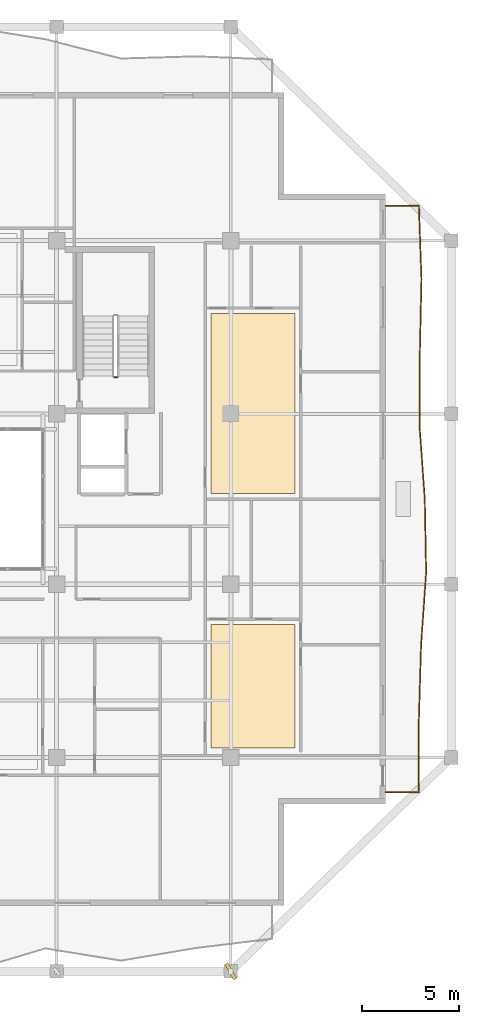
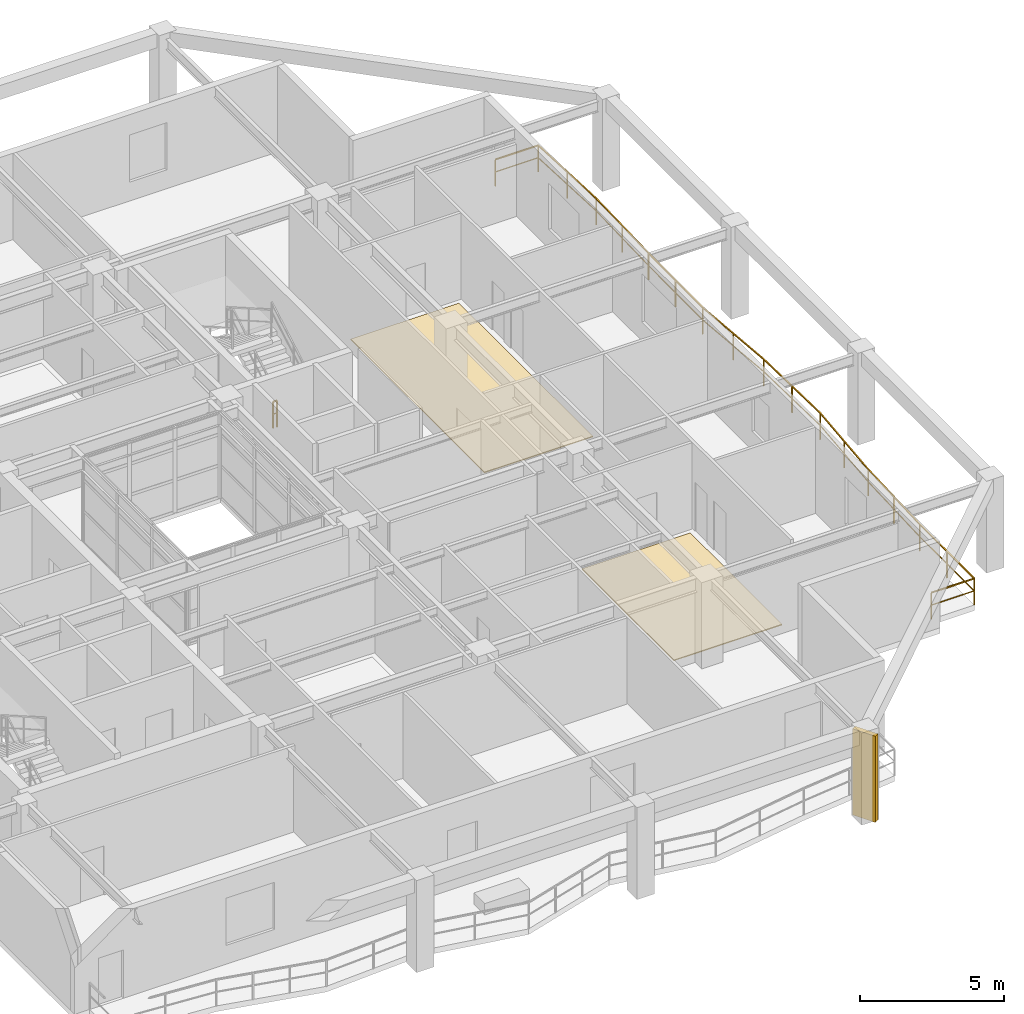
# One storey, part 13 of 15: 2 coverings, 2 railings, 1 shading device.
"""IFC4 building model written with IfcOpenShell, lengths in metres."""

from ifc_helpers import new_model, si_unit, direction, frame, origin, origin_2d, place, context, subcontext, project, spatial, polyline, rectangle, outline, extrude, material, layer, layer_set, type_object, element, save


model = new_model("IFC4")

# Units and contexts
model_context = context("Model", 3, precision=1e-05, world=origin(), true_north=direction((0.0, 1.0)))
body_context = subcontext(model_context, "Body", "Model", "MODEL_VIEW")
ifc_project = project(units=[si_unit("LENGTHUNIT", "METRE"), si_unit("AREAUNIT", "SQUARE_METRE"), si_unit("VOLUMEUNIT", "CUBIC_METRE"), si_unit("PLANEANGLEUNIT", "RADIAN"), si_unit("MASSUNIT", "GRAM", prefix="KILO")], contexts=[model_context])

# Site, building, storey
site_placement = place(None, origin())
site = spatial("IfcSite", under=ifc_project, at=site_placement, CompositionType="ELEMENT")
building_placement = place(site_placement, origin())
building = spatial("IfcBuilding", under=site, at=building_placement, Name="Kundavana Baori Tower", CompositionType="ELEMENT")
storey_placement = place(building_placement, frame((0.0, 0.0, 214.10009765625)))
storey = spatial("IfcBuildingStorey", under=building, at=storey_placement, Name="L52", CompositionType="ELEMENT", Elevation=214.10009765625)

# Coverings
ifc_material_1 = material(Name="Honed Kota Stone and Terrazzo Flooring", Category="masonry")
ifc_layer = layer(ifc_material_1, 0.0400390625, Name="COV-FLR-TERR-40")
ifc_layer_set = layer_set([ifc_layer], Name="Honed Kota Stone and Terrazzo Flooring")
covering_type = type_object("IfcCoveringType", Name="COV-FLR-TERR-40", PredefinedType="FLOORING", material=ifc_layer_set)
covering_1_placement = place(storey_placement, origin())
element("IfcCovering", 1, at=covering_1_placement, inside=storey, type_object=covering_type, Name="L52 Room Finished Stone Flooring 5", PredefinedType="FLOORING", context=body_context, shape_type="SweptSolid", body=[
    extrude(outline(polyline([(41.780029296875, 15.72998046875), (46.1298828125, 15.72998046875), (46.1298828125, 22.1201171875), (41.780029296875, 22.1201171875), (41.780029296875, 15.72998046875)])), origin(), (0.0, 0.0, 1.0), 0.039794921875),
])
covering_2_placement = place(storey_placement, origin())
element("IfcCovering", 2, at=covering_2_placement, inside=storey, type_object=covering_type, Name="L52 Room Finished Stone Flooring 6", PredefinedType="FLOORING", context=body_context, shape_type="SweptSolid", body=[
    extrude(outline(polyline([(41.780029296875, 28.8798828125), (46.1298828125, 28.8798828125), (46.1298828125, 38.18994140625), (41.780029296875, 38.18994140625), (41.780029296875, 28.8798828125)])), origin(), (0.0, 0.0, 1.0), 0.039794921875),
])

# Railings
ifc_material_2 = material(Name="Architectural Patinated Bronze Metalwork")
railing_type_1 = type_object("IfcRailingType", Name="RL-BAL-1150", PredefinedType="BALUSTRADE", material=ifc_material_2)
railing_1_placement = place(storey_placement, frame((50.800048828125, 43.75, 0.0)))
element("IfcRailing", 3, at=railing_1_placement, inside=storey, type_object=railing_type_1, Name="L52 Loggia Balcony Balustrade E", PredefinedType="BALUSTRADE", context=body_context, shape_type="SweptSolid", body=[
    extrude(rectangle(XDim=0.048095703125, YDim=0.048095703125, at=origin_2d()), frame((0.0, 0.0, 1.1259765625), z_axis=(1.0, 0.0, 0.0), x_axis=(0.0, 1.0, 0.0)), (0.0, 0.0, 1.0), 1.719970703125),
    extrude(rectangle(XDim=0.03125, YDim=0.03125, at=origin_2d()), frame((0.0, 0.0, 0.597900390625), z_axis=(1.0, 0.0, 0.0), x_axis=(0.0, 1.0, 0.0)), (0.0, 0.0, 1.0), 1.719970703125),
    extrude(rectangle(XDim=0.048095703125, YDim=0.048095703125, at=origin_2d()), frame((1.719970703125, 0.0, 1.1259765625), z_axis=(0.035360702728, -0.999374614798, 0.0), x_axis=(0.999374614798, 0.035360702728, 0.0)), (0.0, 0.0, 1.0), 3.79052734375),
    extrude(rectangle(XDim=0.03125, YDim=0.03125, at=origin_2d()), frame((1.719970703125, 0.0, 0.597900390625), z_axis=(0.035360702728, -0.999374614798, 0.0), x_axis=(0.999374614798, 0.035360702728, 0.0)), (0.0, 0.0, 1.0), 3.79052734375),
    extrude(rectangle(XDim=0.048095703125, YDim=0.048095703125, at=origin_2d()), frame((1.85400390625, -3.7880859375, 1.1259765625), z_axis=(-0.021914663611, -0.999759844922, 0.0), x_axis=(0.999759844922, -0.021914663611, 0.0)), (0.0, 0.0, 1.0), 3.787841796875),
    extrude(rectangle(XDim=0.03125, YDim=0.03125, at=origin_2d()), frame((1.85400390625, -3.7880859375, 0.597900390625), z_axis=(-0.021914663611, -0.999759844922, 0.0), x_axis=(0.999759844922, -0.021914663611, 0.0)), (0.0, 0.0, 1.0), 3.787841796875),
    extrude(rectangle(XDim=0.048095703125, YDim=0.048095703125, at=origin_2d()), frame((1.77099609375, -7.574951171875, 1.1259765625), z_axis=(-0.004512589432, -0.999989818216, 0.0), x_axis=(0.999989818216, -0.004512589432, 0.0)), (0.0, 0.0, 1.0), 3.787109375),
    extrude(rectangle(XDim=0.03125, YDim=0.03125, at=origin_2d()), frame((1.77099609375, -7.574951171875, 0.597900390625), z_axis=(-0.004512589432, -0.999989818216, 0.0), x_axis=(0.999989818216, -0.004512589432, 0.0)), (0.0, 0.0, 1.0), 3.787109375),
    extrude(rectangle(XDim=0.048095703125, YDim=0.048095703125, at=origin_2d()), frame((1.75390625, -11.362060546875, 1.1259765625), z_axis=(0.071872937426, -0.997413796208, 0.0), x_axis=(0.997413796208, 0.071872937426, 0.0)), (0.0, 0.0, 1.0), 3.797607421875),
    extrude(rectangle(XDim=0.03125, YDim=0.03125, at=origin_2d()), frame((1.75390625, -11.362060546875, 0.597900390625), z_axis=(0.071872937426, -0.997413796208, 0.0), x_axis=(0.997413796208, 0.071872937426, 0.0)), (0.0, 0.0, 1.0), 3.797607421875),
    extrude(rectangle(XDim=0.048095703125, YDim=0.048095703125, at=origin_2d()), frame((2.02685546875, -15.14990234375, 1.1259765625), z_axis=(0.018236203852, -0.999833706608, 0.0), x_axis=(0.999833706608, 0.018236203852, 0.0)), (0.0, 0.0, 1.0), 3.788818359375),
    extrude(rectangle(XDim=0.03125, YDim=0.03125, at=origin_2d()), frame((2.02685546875, -15.14990234375, 0.597900390625), z_axis=(0.018236203852, -0.999833706608, 0.0), x_axis=(0.999833706608, 0.018236203852, 0.0)), (0.0, 0.0, 1.0), 3.788818359375),
    extrude(rectangle(XDim=0.048095703125, YDim=0.048095703125, at=origin_2d()), frame((2.095947265625, -18.93798828125, 1.1259765625), z_axis=(-0.069263375839, -0.997598408563, 0.0), x_axis=(0.997598408563, -0.069263375839, 0.0)), (0.0, 0.0, 1.0), 3.796142578125),
    extrude(rectangle(XDim=0.03125, YDim=0.03125, at=origin_2d()), frame((2.095947265625, -18.93798828125, 0.597900390625), z_axis=(-0.069263375839, -0.997598408563, 0.0), x_axis=(0.997598408563, -0.069263375839, 0.0)), (0.0, 0.0, 1.0), 3.796142578125),
    extrude(rectangle(XDim=0.048095703125, YDim=0.048095703125, at=origin_2d()), frame((1.8330078125, -22.72509765625, 1.1259765625), z_axis=(-0.029578954495, -0.999562446999, 0.0), x_axis=(0.999562446999, -0.029578954495, 0.0)), (0.0, 0.0, 1.0), 3.78857421875),
    extrude(rectangle(XDim=0.03125, YDim=0.03125, at=origin_2d()), frame((1.8330078125, -22.72509765625, 0.597900390625), z_axis=(-0.029578954495, -0.999562446999, 0.0), x_axis=(0.999562446999, -0.029578954495, 0.0)), (0.0, 0.0, 1.0), 3.78857421875),
    extrude(rectangle(XDim=0.048095703125, YDim=0.048095703125, at=origin_2d()), frame((1.720947265625, -26.511962890625, 1.1259765625), z_axis=(-0.000257798393, -0.99999996677, 0.0), x_axis=(0.99999996677, -0.000257798393, 0.0)), (0.0, 0.0, 1.0), 3.7880859375),
    extrude(rectangle(XDim=0.03125, YDim=0.03125, at=origin_2d()), frame((1.720947265625, -26.511962890625, 0.597900390625), z_axis=(-0.000257798393, -0.99999996677, 0.0), x_axis=(0.99999996677, -0.000257798393, 0.0)), (0.0, 0.0, 1.0), 3.7880859375),
    extrude(rectangle(XDim=0.048095703125, YDim=0.048095703125, at=origin_2d()), frame((1.719970703125, -30.300048828125, 1.1259765625), z_axis=(-1.0, 0.0, 0.0), x_axis=(0.0, -1.0, 0.0)), (0.0, 0.0, 1.0), 1.719970703125),
    extrude(rectangle(XDim=0.03125, YDim=0.03125, at=origin_2d()), frame((1.719970703125, -30.300048828125, 0.597900390625), z_axis=(-1.0, 0.0, 0.0), x_axis=(0.0, -1.0, 0.0)), (0.0, 0.0, 1.0), 1.719970703125),
    extrude(rectangle(XDim=0.0419921875, YDim=0.0419921875, at=origin_2d()), origin(), (0.0, 0.0, 1.0), 1.101806640625),
    extrude(rectangle(XDim=0.0419921875, YDim=0.0419921875, at=origin_2d()), frame((1.719970703125, 0.0, 0.0)), (0.0, 0.0, 1.0), 1.101806640625),
    extrude(rectangle(XDim=0.0419921875, YDim=0.0419921875, at=origin_2d()), frame((1.787109375, -1.89404296875, 0.0)), (0.0, 0.0, 1.0), 1.101806640625),
    extrude(rectangle(XDim=0.0419921875, YDim=0.0419921875, at=origin_2d()), frame((1.85400390625, -3.7880859375, 0.0)), (0.0, 0.0, 1.0), 1.101806640625),
    extrude(rectangle(XDim=0.0419921875, YDim=0.0419921875, at=origin_2d()), frame((1.8125, -5.681640625, 0.0)), (0.0, 0.0, 1.0), 1.101806640625),
    extrude(rectangle(XDim=0.0419921875, YDim=0.0419921875, at=origin_2d()), frame((1.77099609375, -7.574951171875, 0.0)), (0.0, 0.0, 1.0), 1.101806640625),
    extrude(rectangle(XDim=0.0419921875, YDim=0.0419921875, at=origin_2d()), frame((1.762451171875, -9.468505859375, 0.0)), (0.0, 0.0, 1.0), 1.101806640625),
    extrude(rectangle(XDim=0.0419921875, YDim=0.0419921875, at=origin_2d()), frame((1.75390625, -11.362060546875, 0.0)), (0.0, 0.0, 1.0), 1.101806640625),
    extrude(rectangle(XDim=0.0419921875, YDim=0.0419921875, at=origin_2d()), frame((1.890380859375, -13.255859375, 0.0)), (0.0, 0.0, 1.0), 1.101806640625),
    extrude(rectangle(XDim=0.0419921875, YDim=0.0419921875, at=origin_2d()), frame((2.02685546875, -15.14990234375, 0.0)), (0.0, 0.0, 1.0), 1.101806640625),
    extrude(rectangle(XDim=0.0419921875, YDim=0.0419921875, at=origin_2d()), frame((2.0615234375, -17.0439453125, 0.0)), (0.0, 0.0, 1.0), 1.101806640625),
    extrude(rectangle(XDim=0.0419921875, YDim=0.0419921875, at=origin_2d()), frame((2.095947265625, -18.93798828125, 0.0)), (0.0, 0.0, 1.0), 1.101806640625),
    extrude(rectangle(XDim=0.0419921875, YDim=0.0419921875, at=origin_2d()), frame((1.96435546875, -20.83154296875, 0.0)), (0.0, 0.0, 1.0), 1.101806640625),
    extrude(rectangle(XDim=0.0419921875, YDim=0.0419921875, at=origin_2d()), frame((1.8330078125, -22.72509765625, 0.0)), (0.0, 0.0, 1.0), 1.101806640625),
    extrude(rectangle(XDim=0.0419921875, YDim=0.0419921875, at=origin_2d()), frame((1.77685546875, -24.61865234375, 0.0)), (0.0, 0.0, 1.0), 1.101806640625),
    extrude(rectangle(XDim=0.0419921875, YDim=0.0419921875, at=origin_2d()), frame((1.720947265625, -26.511962890625, 0.0)), (0.0, 0.0, 1.0), 1.101806640625),
    extrude(rectangle(XDim=0.0419921875, YDim=0.0419921875, at=origin_2d()), frame((1.720458984375, -28.406005859375, 0.0)), (0.0, 0.0, 1.0), 1.101806640625),
    extrude(rectangle(XDim=0.0419921875, YDim=0.0419921875, at=origin_2d()), frame((1.719970703125, -30.300048828125, 0.0)), (0.0, 0.0, 1.0), 1.101806640625),
    extrude(rectangle(XDim=0.0419921875, YDim=0.0419921875, at=origin_2d()), frame((0.0, -30.300048828125, 0.0)), (0.0, 0.0, 1.0), 1.101806640625),
])
ifc_material_3 = material(Name="Architectural Patinated Bronze Metalwork")
railing_type_2 = type_object("IfcRailingType", Name="RL-GRD-1150", PredefinedType="GUARDRAIL", material=ifc_material_3)
railing_2_placement = place(storey_placement, frame((36.929931640625, 34.89990234375, 0.0)))
element("IfcRailing", 4, at=railing_2_placement, inside=storey, type_object=railing_type_2, Name="L52 ST3 stair guard 4", PredefinedType="GUARDRAIL", context=body_context, shape_type="SweptSolid", body=[
    extrude(rectangle(XDim=0.048095703125, YDim=0.048095703125, at=origin_2d()), frame((0.0, 0.0, 1.1259765625), z_axis=(-1.0, 0.0, 0.0), x_axis=(0.0, -1.0, 0.0)), (0.0, 0.0, 1.0), 0.159912109375),
    extrude(rectangle(XDim=0.03125, YDim=0.03125, at=origin_2d()), frame((0.0, 0.0, 0.597900390625), z_axis=(-1.0, 0.0, 0.0), x_axis=(0.0, -1.0, 0.0)), (0.0, 0.0, 1.0), 0.159912109375),
    extrude(rectangle(XDim=0.0419921875, YDim=0.0419921875, at=origin_2d()), origin(), (0.0, 0.0, 1.0), 1.101806640625),
    extrude(rectangle(XDim=0.0419921875, YDim=0.0419921875, at=origin_2d()), frame((-0.159912109375, 0.0, 0.0)), (0.0, 0.0, 1.0), 1.101806640625),
])

# Shading device
ifc_material_4 = material(Name="Red-Buff Dholpur Sandstone Cladding on Concrete C40/50", Category="masonry")
shading_device_type = type_object("IfcShadingDeviceType", Name="SHD-FIN-920", PredefinedType="JALOUSIE", material=ifc_material_4)
shading_device_placement = place(storey_placement, frame((42.800048828125, 4.199951171875, 0.0), z_axis=(0.0, 0.0, 1.0), x_axis=(0.866635622545, 0.498941577478, 0.0)))
element("IfcShadingDevice", 5, at=shading_device_placement, inside=storey, type_object=shading_device_type, Name="L52 Sweeping Dholpur Sandstone Facade Fin 4", PredefinedType="JALOUSIE", context=body_context, shape_type="SweptSolid", body=[
    extrude(rectangle(XDim=0.179931640625, YDim=0.919921875, at=origin_2d()), origin(), (0.0, 0.0, 1.0), 3.659912109375),
])

save(model, "model.ifc")
